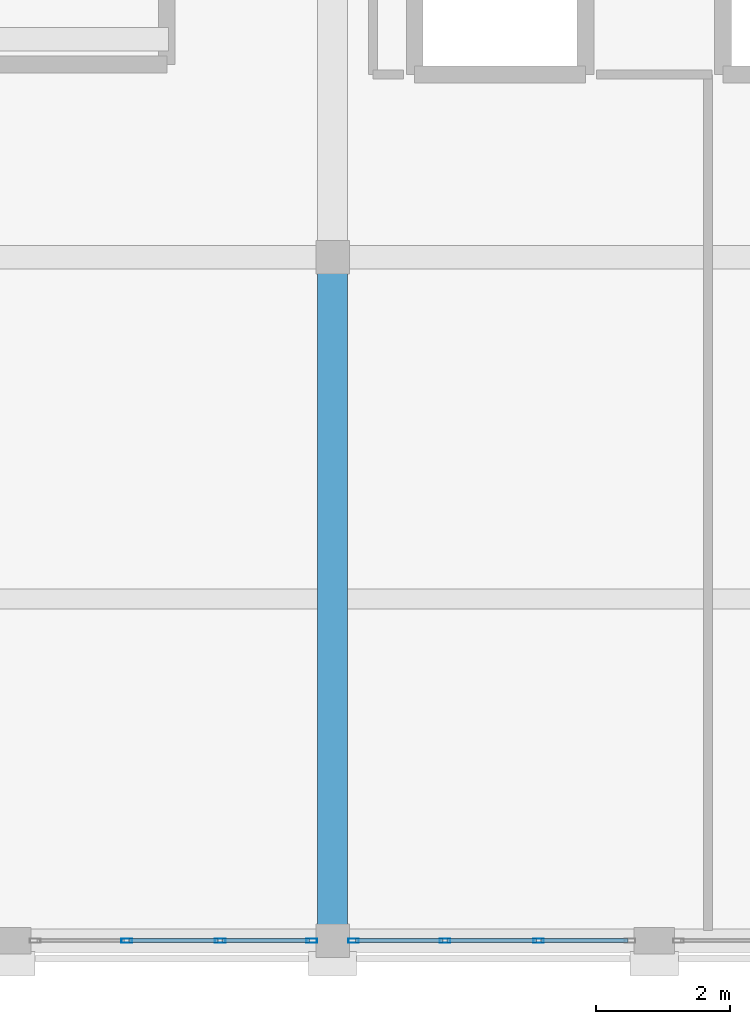
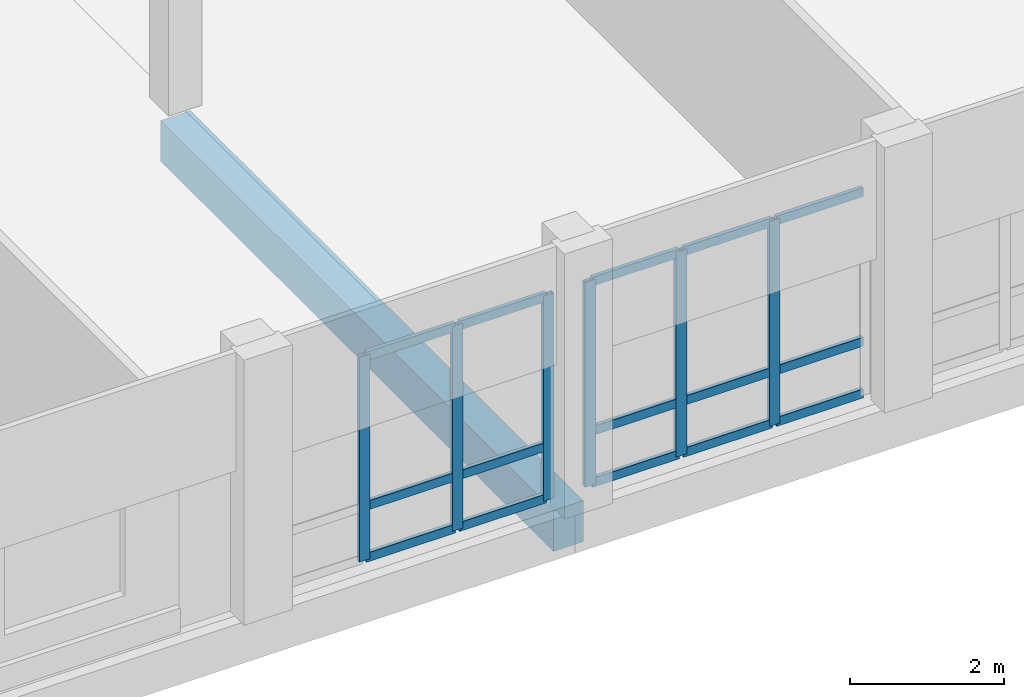
# One storey, part 4 of 29: 21 members, 1 beam, 2 elements without a shape of their own.
"""IFC4 building model written with IfcOpenShell, lengths in metres."""

from ifc_helpers import new_model, si_unit, direction, frame, origin, origin_2d, place, context, subcontext, project, spatial, rectangle, hollow_rectangle, extrude, material, material_profile, profile_set, type_object, element, aggregate, save


model = new_model("IFC4")

# Units and contexts
model_context = context("Model", 3, precision=1e-05, world=origin(), true_north=direction((0.0, 1.0)))
body_context = subcontext(model_context, "Body", "Model", "MODEL_VIEW")
ifc_project = project(units=[si_unit("LENGTHUNIT", "METRE"), si_unit("AREAUNIT", "SQUARE_METRE"), si_unit("VOLUMEUNIT", "CUBIC_METRE"), si_unit("PLANEANGLEUNIT", "RADIAN"), si_unit("MASSUNIT", "GRAM", prefix="KILO")], contexts=[model_context])

# Site, building, storey
site_placement = place(None, origin())
site = spatial("IfcSite", under=ifc_project, at=site_placement, CompositionType="ELEMENT")
building_placement = place(site_placement, origin())
building = spatial("IfcBuilding", under=site, at=building_placement, Name="Vondelvale Polytechnic", CompositionType="ELEMENT")
storey_placement = place(building_placement, frame((0.0, 0.0, 26.39990234375)))
storey = spatial("IfcBuildingStorey", under=building, at=storey_placement, Name="L06", CompositionType="ELEMENT", Elevation=26.39990234375)

# Beam
ifc_material_1 = material(Name="Concrete N40 (f'c = 40 MPa)", Category="concrete")
ifc_material_profile_1 = material_profile(ifc_material_1, rectangle(XDim=0.449951171875, YDim=0.64990234375, at=origin_2d()), Name="RC-BM-450x650")
ifc_profile_set_1 = profile_set([ifc_material_profile_1], Name="Concrete N40 (f'c = 40 MPa)")
beam_type = type_object("IfcBeamType", Name="BM-RC450x650", PredefinedType="BEAM", material=ifc_profile_set_1)
beam_placement = place(storey_placement, frame((19.199951171875, 0.0, -0.5498046875), z_axis=(0.0, 1.0, 0.0), x_axis=(-1.0, 0.0, 0.0)))
element("IfcBeam", 1, at=beam_placement, inside=storey, type_object=beam_type, Name="L06 B B-04", PredefinedType="BEAM", context=body_context, shape_type="SweptSolid", body=[
    extrude(rectangle(XDim=0.449951171875, YDim=0.64990234375, at=origin_2d()), origin(), (0.0, 0.0, 1.0), 10.199951171875),
])

# Curtain wall, members
ifc_material_2 = material(Name="Anodised extruded aluminium 6063-T6", Category="aluminium")
curtain_wall_type = type_object("IfcCurtainWallType", Name="CW-LIBRARY-BAY", PredefinedType="NOTDEFINED", material=ifc_material_2)
curtain_wall_1_placement = place(storey_placement, origin())
curtain_wall_1 = element("IfcCurtainWall", 2, at=curtain_wall_1_placement, inside=storey, type_object=curtain_wall_type, Name="L06 architectural curtain wall CW-02-043", PredefinedType="NOTDEFINED")
ifc_material_profile_2 = material_profile(ifc_material_2, hollow_rectangle(XDim=0.06494140625, YDim=0.159912109375, WallThickness=0.0048828125, at=origin_2d()), Name="CW-MUL-160x65")
ifc_profile_set_2 = profile_set([ifc_material_profile_2], Name="Anodised extruded aluminium 6063-T6")
member_type_1 = type_object("IfcMemberType", Name="CW-MUL-65x160", PredefinedType="MULLION", material=ifc_profile_set_2)
member_1_placement = place(storey_placement, frame((16.126708984375, 0.0, 0.0), z_axis=(0.0, 0.0, 1.0), x_axis=(0.0, 1.0, 0.0)))
member_1 = element("IfcMember", 3, at=member_1_placement, type_object=member_type_1, Name="CW-02-043 mullion 2", PredefinedType="MULLION", context=body_context, shape_type="SweptSolid", body=[
    extrude(hollow_rectangle(XDim=0.06494140625, YDim=0.159912109375, WallThickness=0.0048828125, at=origin_2d()), origin(), (0.0, 0.0, 1.0), 3.25),
])
member_2_placement = place(storey_placement, frame((17.5234375, 0.0, 0.0), z_axis=(0.0, 0.0, 1.0), x_axis=(0.0, 1.0, 0.0)))
member_2 = element("IfcMember", 4, at=member_2_placement, type_object=member_type_1, Name="CW-02-043 mullion 3", PredefinedType="MULLION", context=body_context, shape_type="SweptSolid", body=[
    extrude(hollow_rectangle(XDim=0.06494140625, YDim=0.159912109375, WallThickness=0.0048828125, at=origin_2d()), origin(), (0.0, 0.0, 1.0), 3.25),
])
member_3_placement = place(storey_placement, frame((18.887451171875, 0.0, 0.0), z_axis=(0.0, 0.0, 1.0), x_axis=(0.0, 1.0, 0.0)))
member_3 = element("IfcMember", 5, at=member_3_placement, type_object=member_type_1, Name="CW-02-043 mullion 4", PredefinedType="MULLION", context=body_context, shape_type="SweptSolid", body=[
    extrude(hollow_rectangle(XDim=0.06494140625, YDim=0.159912109375, WallThickness=0.0048828125, at=origin_2d()), origin(), (0.0, 0.0, 1.0), 3.25),
])

curtain_wall_2_placement = place(storey_placement, origin())
curtain_wall_2 = element("IfcCurtainWall", 6, at=curtain_wall_2_placement, inside=storey, type_object=curtain_wall_type, Name="L06 architectural curtain wall CW-02-044", PredefinedType="NOTDEFINED")
member_4_placement = place(storey_placement, frame((19.512451171875, 0.0, 0.0), z_axis=(0.0, 0.0, 1.0), x_axis=(0.0, 1.0, 0.0)))
member_4 = element("IfcMember", 7, at=member_4_placement, type_object=member_type_1, Name="CW-02-044 mullion 1", PredefinedType="MULLION", context=body_context, shape_type="SweptSolid", body=[
    extrude(hollow_rectangle(XDim=0.06494140625, YDim=0.159912109375, WallThickness=0.0048828125, at=origin_2d()), origin(), (0.0, 0.0, 1.0), 3.25),
])
member_5_placement = place(storey_placement, frame((20.876708984375, 0.0, 0.0), z_axis=(0.0, 0.0, 1.0), x_axis=(0.0, 1.0, 0.0)))
member_5 = element("IfcMember", 8, at=member_5_placement, type_object=member_type_1, Name="CW-02-044 mullion 2", PredefinedType="MULLION", context=body_context, shape_type="SweptSolid", body=[
    extrude(hollow_rectangle(XDim=0.06494140625, YDim=0.159912109375, WallThickness=0.0048828125, at=origin_2d()), origin(), (0.0, 0.0, 1.0), 3.25),
])
member_6_placement = place(storey_placement, frame((22.2734375, 0.0, 0.0), z_axis=(0.0, 0.0, 1.0), x_axis=(0.0, 1.0, 0.0)))
member_6 = element("IfcMember", 9, at=member_6_placement, type_object=member_type_1, Name="CW-02-044 mullion 3", PredefinedType="MULLION", context=body_context, shape_type="SweptSolid", body=[
    extrude(hollow_rectangle(XDim=0.06494140625, YDim=0.159912109375, WallThickness=0.0048828125, at=origin_2d()), origin(), (0.0, 0.0, 1.0), 3.25),
])

# Member
ifc_material_profile_3 = material_profile(ifc_material_2, hollow_rectangle(XDim=0.06005859375, YDim=0.139892578125, WallThickness=0.00341796875, at=origin_2d()), Name="CW-TRN-140x60")
ifc_profile_set_3 = profile_set([ifc_material_profile_3], Name="Anodised extruded aluminium 6063-T6")
member_type_2 = type_object("IfcMemberType", Name="CW-TRN-60x140", PredefinedType="USERDEFINED", material=ifc_profile_set_3)
member_7_placement = place(storey_placement, frame((16.1591796875, 0.0, 0.030029296875), z_axis=(1.0, 0.0, 0.0), x_axis=(0.0, 1.0, 0.0)))
member_7 = element("IfcMember", 10, at=member_7_placement, type_object=member_type_2, Name="CW-02-043 transom 2.1", ObjectType="TRANSOM", PredefinedType="USERDEFINED", context=body_context, shape_type="SweptSolid", body=[
    extrude(hollow_rectangle(XDim=0.06005859375, YDim=0.139892578125, WallThickness=0.00341796875, at=origin_2d()), origin(), (0.0, 0.0, 1.0), 1.33154296875),
])

member_8_placement = place(storey_placement, frame((16.1591796875, 0.0, 0.85009765625), z_axis=(1.0, 0.0, 0.0), x_axis=(0.0, 1.0, 0.0)))
member_8 = element("IfcMember", 11, at=member_8_placement, type_object=member_type_2, Name="CW-02-043 transom 2.2", ObjectType="TRANSOM", PredefinedType="USERDEFINED", context=body_context, shape_type="SweptSolid", body=[
    extrude(hollow_rectangle(XDim=0.06005859375, YDim=0.139892578125, WallThickness=0.00341796875, at=origin_2d()), origin(), (0.0, 0.0, 1.0), 1.33154296875),
])

member_9_placement = place(storey_placement, frame((16.1591796875, 0.0, 3.22021484375), z_axis=(1.0, 0.0, 0.0), x_axis=(0.0, 1.0, 0.0)))
member_9 = element("IfcMember", 12, at=member_9_placement, type_object=member_type_2, Name="CW-02-043 transom 2.3", ObjectType="TRANSOM", PredefinedType="USERDEFINED", context=body_context, shape_type="SweptSolid", body=[
    extrude(hollow_rectangle(XDim=0.06005859375, YDim=0.139892578125, WallThickness=0.00341796875, at=origin_2d()), origin(), (0.0, 0.0, 1.0), 1.33154296875),
])

member_10_placement = place(storey_placement, frame((17.555908203125, 0.0, 0.030029296875), z_axis=(1.0, 0.0, 0.0), x_axis=(0.0, 1.0, 0.0)))
member_10 = element("IfcMember", 13, at=member_10_placement, type_object=member_type_2, Name="CW-02-043 transom 3.1", ObjectType="TRANSOM", PredefinedType="USERDEFINED", context=body_context, shape_type="SweptSolid", body=[
    extrude(hollow_rectangle(XDim=0.06005859375, YDim=0.139892578125, WallThickness=0.00341796875, at=origin_2d()), origin(), (0.0, 0.0, 1.0), 1.299072265625),
])

member_11_placement = place(storey_placement, frame((17.555908203125, 0.0, 0.85009765625), z_axis=(1.0, 0.0, 0.0), x_axis=(0.0, 1.0, 0.0)))
member_11 = element("IfcMember", 14, at=member_11_placement, type_object=member_type_2, Name="CW-02-043 transom 3.2", ObjectType="TRANSOM", PredefinedType="USERDEFINED", context=body_context, shape_type="SweptSolid", body=[
    extrude(hollow_rectangle(XDim=0.06005859375, YDim=0.139892578125, WallThickness=0.00341796875, at=origin_2d()), origin(), (0.0, 0.0, 1.0), 1.299072265625),
])

member_12_placement = place(storey_placement, frame((17.555908203125, 0.0, 3.22021484375), z_axis=(1.0, 0.0, 0.0), x_axis=(0.0, 1.0, 0.0)))
member_12 = element("IfcMember", 15, at=member_12_placement, type_object=member_type_2, Name="CW-02-043 transom 3.3", ObjectType="TRANSOM", PredefinedType="USERDEFINED", context=body_context, shape_type="SweptSolid", body=[
    extrude(hollow_rectangle(XDim=0.06005859375, YDim=0.139892578125, WallThickness=0.00341796875, at=origin_2d()), origin(), (0.0, 0.0, 1.0), 1.299072265625),
])

aggregate(curtain_wall_1, [member_1, member_2, member_3, member_7, member_8, member_9, member_10, member_11, member_12])

member_13_placement = place(storey_placement, frame((19.544921875, 0.0, 0.030029296875), z_axis=(1.0, 0.0, 0.0), x_axis=(0.0, 1.0, 0.0)))
member_13 = element("IfcMember", 16, at=member_13_placement, type_object=member_type_2, Name="CW-02-044 transom 1.1", ObjectType="TRANSOM", PredefinedType="USERDEFINED", context=body_context, shape_type="SweptSolid", body=[
    extrude(hollow_rectangle(XDim=0.06005859375, YDim=0.139892578125, WallThickness=0.00341796875, at=origin_2d()), origin(), (0.0, 0.0, 1.0), 1.29931640625),
])

member_14_placement = place(storey_placement, frame((19.544921875, 0.0, 0.85009765625), z_axis=(1.0, 0.0, 0.0), x_axis=(0.0, 1.0, 0.0)))
member_14 = element("IfcMember", 17, at=member_14_placement, type_object=member_type_2, Name="CW-02-044 transom 1.2", ObjectType="TRANSOM", PredefinedType="USERDEFINED", context=body_context, shape_type="SweptSolid", body=[
    extrude(hollow_rectangle(XDim=0.06005859375, YDim=0.139892578125, WallThickness=0.00341796875, at=origin_2d()), origin(), (0.0, 0.0, 1.0), 1.29931640625),
])

member_15_placement = place(storey_placement, frame((19.544921875, 0.0, 3.22021484375), z_axis=(1.0, 0.0, 0.0), x_axis=(0.0, 1.0, 0.0)))
member_15 = element("IfcMember", 18, at=member_15_placement, type_object=member_type_2, Name="CW-02-044 transom 1.3", ObjectType="TRANSOM", PredefinedType="USERDEFINED", context=body_context, shape_type="SweptSolid", body=[
    extrude(hollow_rectangle(XDim=0.06005859375, YDim=0.139892578125, WallThickness=0.00341796875, at=origin_2d()), origin(), (0.0, 0.0, 1.0), 1.29931640625),
])

member_16_placement = place(storey_placement, frame((20.9091796875, 0.0, 0.030029296875), z_axis=(1.0, 0.0, 0.0), x_axis=(0.0, 1.0, 0.0)))
member_16 = element("IfcMember", 19, at=member_16_placement, type_object=member_type_2, Name="CW-02-044 transom 2.1", ObjectType="TRANSOM", PredefinedType="USERDEFINED", context=body_context, shape_type="SweptSolid", body=[
    extrude(hollow_rectangle(XDim=0.06005859375, YDim=0.139892578125, WallThickness=0.00341796875, at=origin_2d()), origin(), (0.0, 0.0, 1.0), 1.33154296875),
])

member_17_placement = place(storey_placement, frame((20.9091796875, 0.0, 0.85009765625), z_axis=(1.0, 0.0, 0.0), x_axis=(0.0, 1.0, 0.0)))
member_17 = element("IfcMember", 20, at=member_17_placement, type_object=member_type_2, Name="CW-02-044 transom 2.2", ObjectType="TRANSOM", PredefinedType="USERDEFINED", context=body_context, shape_type="SweptSolid", body=[
    extrude(hollow_rectangle(XDim=0.06005859375, YDim=0.139892578125, WallThickness=0.00341796875, at=origin_2d()), origin(), (0.0, 0.0, 1.0), 1.33154296875),
])

member_18_placement = place(storey_placement, frame((20.9091796875, 0.0, 3.22021484375), z_axis=(1.0, 0.0, 0.0), x_axis=(0.0, 1.0, 0.0)))
member_18 = element("IfcMember", 21, at=member_18_placement, type_object=member_type_2, Name="CW-02-044 transom 2.3", ObjectType="TRANSOM", PredefinedType="USERDEFINED", context=body_context, shape_type="SweptSolid", body=[
    extrude(hollow_rectangle(XDim=0.06005859375, YDim=0.139892578125, WallThickness=0.00341796875, at=origin_2d()), origin(), (0.0, 0.0, 1.0), 1.33154296875),
])

member_19_placement = place(storey_placement, frame((22.305908203125, 0.0, 0.030029296875), z_axis=(1.0, 0.0, 0.0), x_axis=(0.0, 1.0, 0.0)))
member_19 = element("IfcMember", 22, at=member_19_placement, type_object=member_type_2, Name="CW-02-044 transom 3.1", ObjectType="TRANSOM", PredefinedType="USERDEFINED", context=body_context, shape_type="SweptSolid", body=[
    extrude(hollow_rectangle(XDim=0.06005859375, YDim=0.139892578125, WallThickness=0.00341796875, at=origin_2d()), origin(), (0.0, 0.0, 1.0), 1.299072265625),
])

member_20_placement = place(storey_placement, frame((22.305908203125, 0.0, 0.85009765625), z_axis=(1.0, 0.0, 0.0), x_axis=(0.0, 1.0, 0.0)))
member_20 = element("IfcMember", 23, at=member_20_placement, type_object=member_type_2, Name="CW-02-044 transom 3.2", ObjectType="TRANSOM", PredefinedType="USERDEFINED", context=body_context, shape_type="SweptSolid", body=[
    extrude(hollow_rectangle(XDim=0.06005859375, YDim=0.139892578125, WallThickness=0.00341796875, at=origin_2d()), origin(), (0.0, 0.0, 1.0), 1.299072265625),
])

member_21_placement = place(storey_placement, frame((22.305908203125, 0.0, 3.22021484375), z_axis=(1.0, 0.0, 0.0), x_axis=(0.0, 1.0, 0.0)))
member_21 = element("IfcMember", 24, at=member_21_placement, type_object=member_type_2, Name="CW-02-044 transom 3.3", ObjectType="TRANSOM", PredefinedType="USERDEFINED", context=body_context, shape_type="SweptSolid", body=[
    extrude(hollow_rectangle(XDim=0.06005859375, YDim=0.139892578125, WallThickness=0.00341796875, at=origin_2d()), origin(), (0.0, 0.0, 1.0), 1.299072265625),
])

aggregate(curtain_wall_2, [member_4, member_5, member_6, member_13, member_14, member_15, member_16, member_17, member_18, member_19, member_20, member_21])

save(model, "model.ifc")
